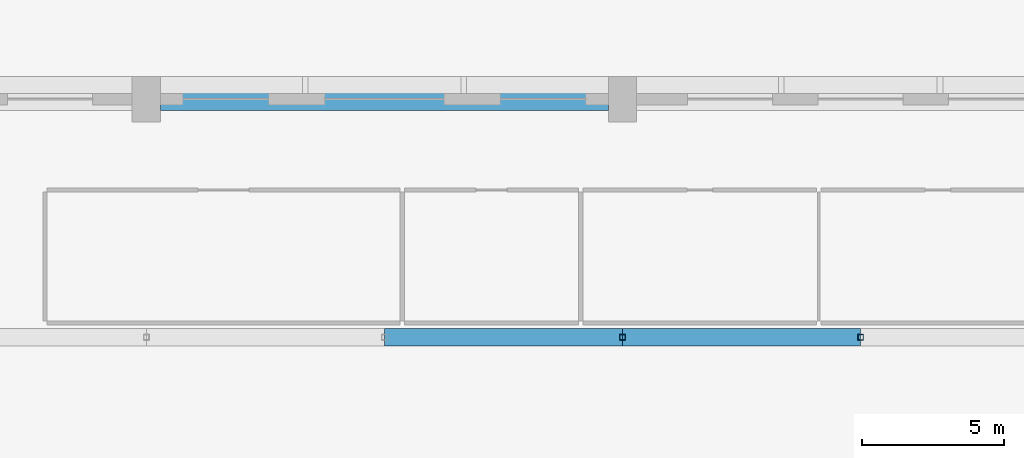
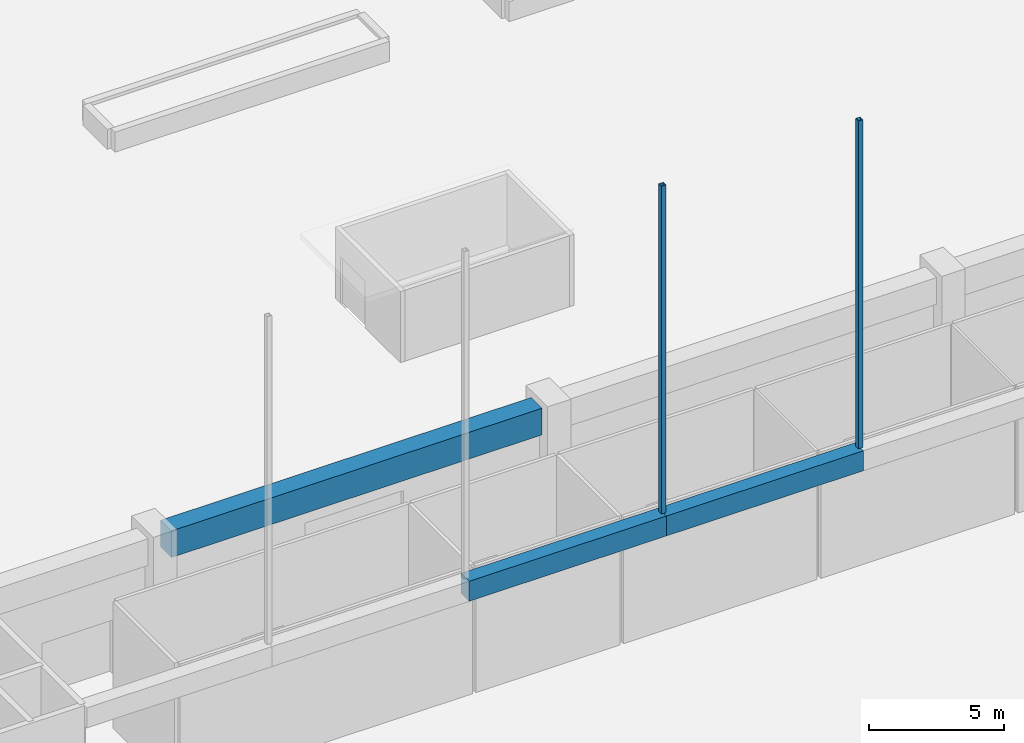
# One storey, part 60 of 210: 3 beams, 2 members.
"""IFC4 building model written with IfcOpenShell, lengths in metres."""

from ifc_helpers import new_model, si_unit, direction, frame, origin, origin_2d, place, context, subcontext, project, spatial, rectangle, hollow_rectangle, extrude, material, material_profile, profile_set, type_object, element, save


model = new_model("IFC4")

# Units and contexts
model_context = context("Model", 3, precision=1e-05, world=origin(), true_north=direction((0.0, 1.0)))
body_context = subcontext(model_context, "Body", "Model", "MODEL_VIEW")
ifc_project = project(units=[si_unit("LENGTHUNIT", "METRE"), si_unit("AREAUNIT", "SQUARE_METRE"), si_unit("VOLUMEUNIT", "CUBIC_METRE"), si_unit("PLANEANGLEUNIT", "RADIAN"), si_unit("MASSUNIT", "GRAM", prefix="KILO")], contexts=[model_context])

# Site, building, storey
site_placement = place(None, origin())
site = spatial("IfcSite", under=ifc_project, at=site_placement, CompositionType="ELEMENT")
building_placement = place(site_placement, origin())
building = spatial("IfcBuilding", under=site, at=building_placement, Name="Rain Tree Exposition and Congress Centre", CompositionType="ELEMENT")
storey_placement = place(building_placement, origin())
storey = spatial("IfcBuildingStorey", under=building, at=storey_placement, Name="L00", CompositionType="ELEMENT", Elevation=0.0)

# Beams
ifc_material_1 = material(Name="Precast concrete C50/60", Category="concrete")
ifc_material_profile_1 = material_profile(ifc_material_1, rectangle(XDim=0.60009765625, YDim=0.89990234375, at=origin_2d()), Name="RC 600x900")
ifc_profile_set_1 = profile_set([ifc_material_profile_1], Name="Precast concrete C50/60")
beam_type_1 = type_object("IfcBeamType", Name="Precast beam 600x900", PredefinedType="BEAM", material=ifc_profile_set_1)
for number, where, z_axis, x_axis, name in (
    (1, (33.60009765625, 193.199951171875, 5.25), (1.0, 0.0, 0.0), (0.0, 1.0, 0.0), "Gallery edge beam 26"),
    (2, (42.0, 193.199951171875, 5.25), (1.0, 0.0, 0.0), (0.0, 1.0, 0.0), "Gallery edge beam 27"),
):
    element("IfcBeam", number, at=place(storey_placement, frame(where, z_axis=z_axis, x_axis=x_axis)), inside=storey, type_object=beam_type_1, Name=name, PredefinedType="BEAM", context=body_context, shape_type="SweptSolid", body=[
        extrude(rectangle(XDim=0.60009765625, YDim=0.89990234375, at=origin_2d()), origin(), (0.0, 0.0, 1.0), 8.39990234375),
    ])
ifc_material_2 = material(Name="Precast concrete C50/60", Category="concrete")
ifc_material_profile_2 = material_profile(ifc_material_2, rectangle(XDim=0.800048828125, YDim=1.199951171875, at=origin_2d()), Name="RC 800x1200")
ifc_profile_set_2 = profile_set([ifc_material_profile_2], Name="Precast concrete C50/60")
beam_type_2 = type_object("IfcBeamType", Name="Precast beam 800x1200", PredefinedType="BEAM", material=ifc_profile_set_2)
beam_placement = place(storey_placement, frame((25.699951171875, 201.60009765625, 5.10009765625), z_axis=(1.0, 0.0, 0.0), x_axis=(0.0, 1.0, 0.0)))
element("IfcBeam", 3, at=beam_placement, inside=storey, type_object=beam_type_2, Name="Gallery perimeter beam 9", PredefinedType="BEAM", context=body_context, shape_type="SweptSolid", body=[
    extrude(rectangle(XDim=0.800048828125, YDim=1.199951171875, at=origin_2d()), origin(), (0.0, 0.0, 1.0), 15.800048828125),
])

# Members
ifc_material_3 = material(Name="Steel S355J2H", Category="steel")
ifc_material_profile_3 = material_profile(ifc_material_3, hollow_rectangle(XDim=0.199951171875, YDim=0.199951171875, WallThickness=0.009033203125, at=origin_2d()), Name="RHS 200x200x9")
ifc_profile_set_3 = profile_set([ifc_material_profile_3], Name="Steel S355J2H")
member_type = type_object("IfcMemberType", Name="Steel member member RHS 200x200x9", PredefinedType="MEMBER", material=ifc_profile_set_3)
for number, where, z_axis, x_axis, name in (
    (4, (42.0, 193.199951171875, 5.699951171875), (0.0, 0.0, 1.0), (1.0, 0.0, 0.0), "Gallery hanger 38"),
    (5, (50.39990234375, 193.199951171875, 5.699951171875), (0.0, 0.0, 1.0), (1.0, 0.0, 0.0), "Gallery hanger 39"),
):
    element("IfcMember", number, at=place(storey_placement, frame(where, z_axis=z_axis, x_axis=x_axis)), inside=storey, type_object=member_type, Name=name, PredefinedType="MEMBER", context=body_context, shape_type="SweptSolid", body=[
        extrude(hollow_rectangle(XDim=0.199951171875, YDim=0.199951171875, WallThickness=0.009033203125, at=origin_2d()), origin(), (0.0, 0.0, 1.0), 14.766845703125),
    ])

save(model, "model.ifc")
